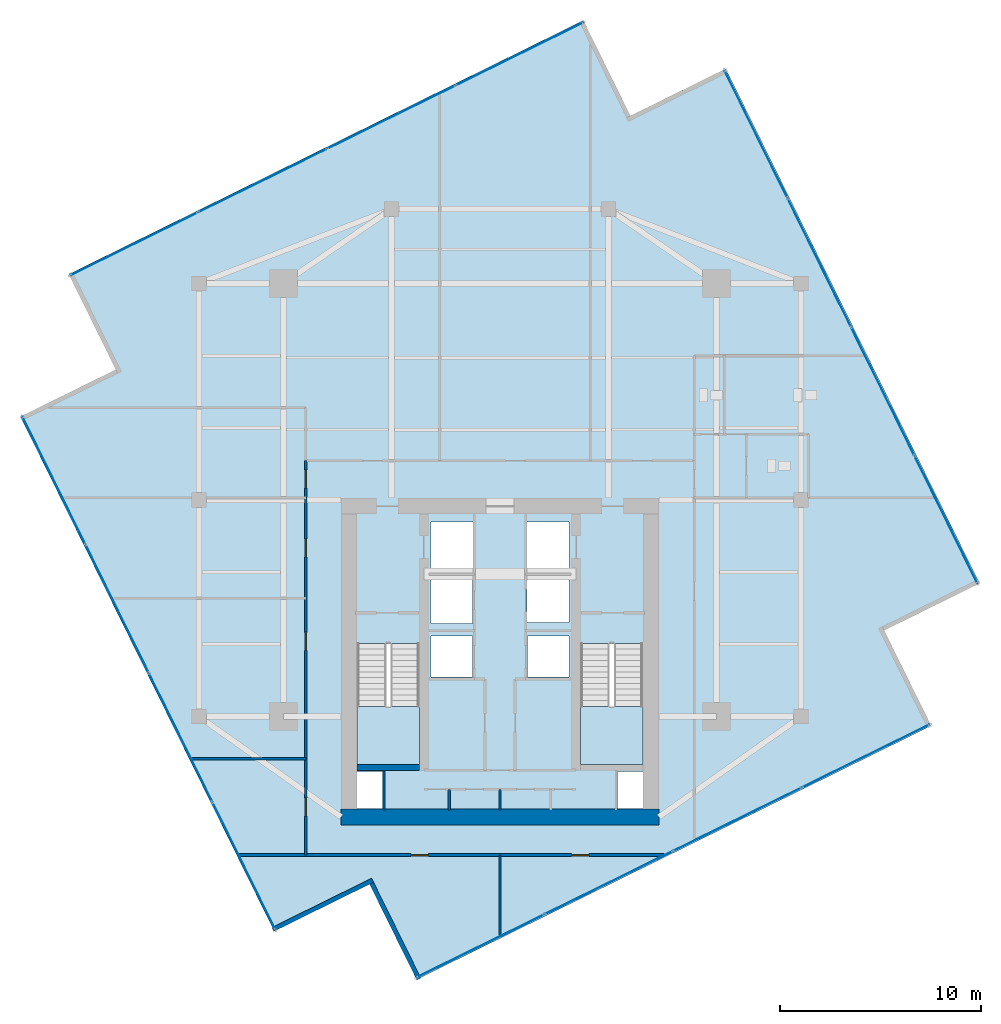
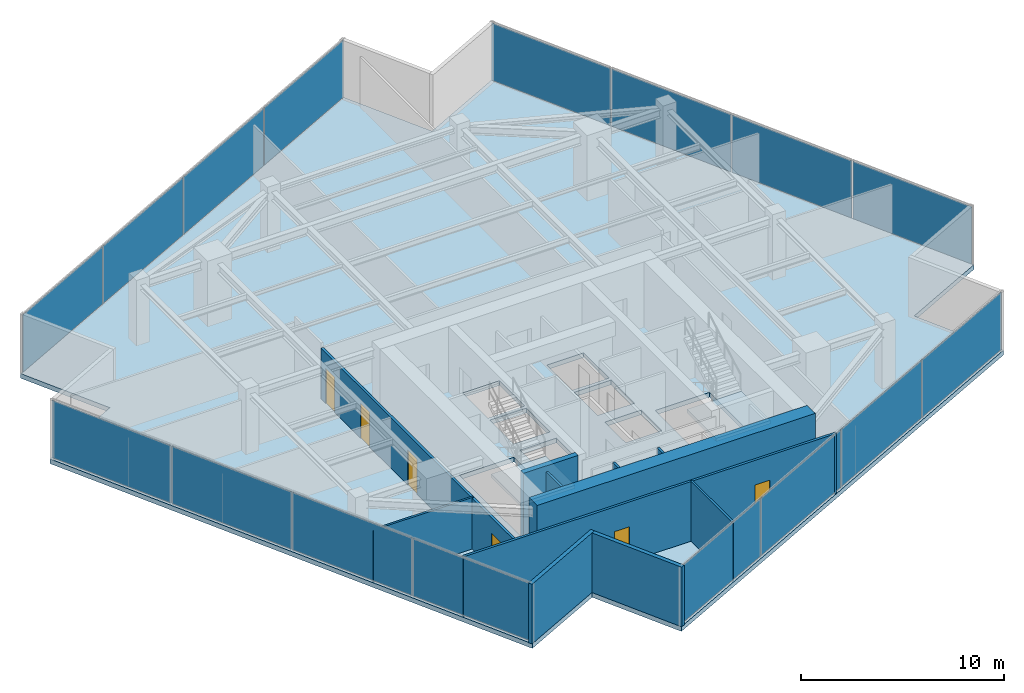
# One storey, part 18 of 22: 16 plates, 11 walls, 6 doors, 3 slabs, 6 openings, 6 elements without a shape of their own.
"""IFC4 building model written with IfcOpenShell, lengths in metres."""

from ifc_helpers import new_model, si_unit, direction, frame, frame_2d, origin, origin_2d, place, context, subcontext, project, spatial, polyline, rectangle, outline, extrude, source, transform, mapped, material, layer, layer_set, type_object, type_shapes, element, fill, aggregate, save


model = new_model("IFC4")

# Units and contexts
model_context = context("Model", 3, precision=1e-05, world=origin(), true_north=direction((0.0, 1.0)))
body_context = subcontext(model_context, "Body", "Model", "MODEL_VIEW")
ifc_project = project(units=[si_unit("LENGTHUNIT", "METRE"), si_unit("AREAUNIT", "SQUARE_METRE"), si_unit("VOLUMEUNIT", "CUBIC_METRE"), si_unit("PLANEANGLEUNIT", "RADIAN"), si_unit("MASSUNIT", "GRAM", prefix="KILO")], contexts=[model_context])

# Site, building, storey
site_placement = place(None, origin())
site = spatial("IfcSite", under=ifc_project, at=site_placement, CompositionType="ELEMENT")
building_placement = place(site_placement, origin())
building = spatial("IfcBuilding", under=site, at=building_placement, Name="Krantzveldt Concourse Tower", CompositionType="ELEMENT")
storey_placement = place(building_placement, frame((0.0, 0.0, 314.800048828125)))
storey = spatial("IfcBuildingStorey", under=building, at=storey_placement, Name="L77", CompositionType="ELEMENT", Elevation=314.800048828125)

# Stair, slab
ifc_material_1 = material(Name="Precast concrete C40/50", Category="concrete")
stair_type = type_object("IfcStairType", Name="STR-CORE-DOGLEG", PredefinedType="HALF_TURN_STAIR", material=ifc_material_1)
stair_1_placement = place(storey_placement, origin())
stair_1 = element("IfcStair", 1, at=stair_1_placement, inside=storey, type_object=stair_type, Name="L77 Protected Escape Stair ST-1", PredefinedType="HALF_TURN_STAIR")
ifc_layer_1 = layer(ifc_material_1, 0.199951171875, Name="Precast concrete C40/50", Category="concrete")
ifc_layer_set_1 = layer_set([ifc_layer_1], Name="Precast concrete C40/50 (SL-LANDING-200)")
slab_type_1 = type_object("IfcSlabType", Name="SL-LANDING-200", PredefinedType="LANDING", material=ifc_layer_set_1)
slab_1_placement = place(storey_placement, frame((0.0, 0.0, 1.77490234375)))
slab_1 = element("IfcSlab", 2, at=slab_1_placement, type_object=slab_type_1, Name="ST-1 landing 1", PredefinedType="LANDING", context=body_context, shape_type="SweptSolid", body=[
    extrude(outline(polyline([(28.8798828125, 16.4150390625), (28.8798828125, 13.52001953125), (31.97998046875, 13.52001953125), (31.97998046875, 16.4150390625), (28.8798828125, 16.4150390625)])), origin(), (0.0, 0.0, 1.0), 0.199951171875),
])
aggregate(stair_1, [slab_1])

stair_2_placement = place(storey_placement, origin())
stair_2 = element("IfcStair", 3, at=stair_2_placement, inside=storey, type_object=stair_type, Name="L77 Protected Escape Stair ST-2", PredefinedType="HALF_TURN_STAIR")
slab_2_placement = place(storey_placement, frame((0.0, 0.0, 1.77490234375)))
slab_2 = element("IfcSlab", 4, at=slab_2_placement, type_object=slab_type_1, Name="ST-2 landing 1", PredefinedType="LANDING", context=body_context, shape_type="SweptSolid", body=[
    extrude(outline(polyline([(40.02001953125, 16.4150390625), (40.02001953125, 13.52001953125), (43.1201171875, 13.52001953125), (43.1201171875, 16.4150390625), (40.02001953125, 16.4150390625)])), origin(), (0.0, 0.0, 1.0), 0.199951171875),
])
aggregate(stair_2, [slab_2])

# Slab
ifc_material_2 = material(Name="Concrete C40/50", Category="concrete")
ifc_layer_2 = layer(ifc_material_2, 0.280029296875, Name="Concrete C40/50", Category="concrete")
ifc_layer_set_2 = layer_set([ifc_layer_2], Name="Concrete C40/50 (SL-SL-TWR280)")
slab_type_2 = type_object("IfcSlabType", Name="SL-SL-TWR280", PredefinedType="FLOOR", material=ifc_layer_set_2)
slab_3_placement = place(storey_placement, frame((0.0, 0.0, -0.280029296875)))
element("IfcSlab", 5, at=slab_3_placement, inside=storey, type_object=slab_type_2, Name="SL-L77-MAIN", PredefinedType="FLOOR", context=body_context, shape_type="SweptSolid", body=[
    extrude(outline(polyline([(42.50048828125, 45.85009765625), (40.156494140625, 50.603515625), (14.505859375, 37.9541015625), (16.85009765625, 33.200439453125), (12.0966796875, 30.8564453125), (24.74609375, 5.205810546875), (29.49951171875, 7.550048828125), (31.843505859375, 2.796630859375), (57.494140625, 15.446044921875), (55.14990234375, 20.199462890625), (59.9033203125, 22.543701171875), (47.25390625, 48.194091796875), (42.50048828125, 45.85009765625)]), holes=[polyline([(28.8798828125, 19.547607421875), (28.8798828125, 13.52001953125), (31.97998046875, 13.52001953125), (31.97998046875, 19.547607421875), (28.8798828125, 19.547607421875)]), polyline([(40.02001953125, 19.547607421875), (40.02001953125, 13.52001953125), (43.1201171875, 13.52001953125), (43.1201171875, 19.547607421875), (40.02001953125, 19.547607421875)]), polyline([(32.550048828125, 23.10009765625), (34.64990234375, 23.10009765625), (34.64990234375, 25.60009765625), (32.550048828125, 25.60009765625), (32.550048828125, 23.10009765625)]), polyline([(37.35009765625, 23.10009765625), (39.449951171875, 23.10009765625), (39.449951171875, 25.60009765625), (37.35009765625, 25.60009765625), (37.35009765625, 23.10009765625)]), polyline([(37.35009765625, 20.60009765625), (39.449951171875, 20.60009765625), (39.449951171875, 22.89990234375), (37.35009765625, 22.89990234375), (37.35009765625, 20.60009765625)]), polyline([(32.550048828125, 20.550048828125), (34.6201171875, 20.550048828125), (34.6201171875, 22.89990234375), (32.550048828125, 22.89990234375), (32.550048828125, 20.550048828125)]), polyline([(32.550048828125, 17.8798828125), (34.6201171875, 17.8798828125), (34.6201171875, 19.919921875), (32.550048828125, 19.919921875), (32.550048828125, 17.8798828125)]), polyline([(37.3798828125, 17.8798828125), (39.449951171875, 17.8798828125), (39.449951171875, 19.919921875), (37.3798828125, 19.919921875), (37.3798828125, 17.8798828125)]), polyline([(28.8798828125, 11.320068359375), (30.139892578125, 11.320068359375), (30.139892578125, 13.159912109375), (28.8798828125, 13.159912109375), (28.8798828125, 11.320068359375)]), polyline([(41.860107421875, 11.320068359375), (43.1201171875, 11.320068359375), (43.1201171875, 13.159912109375), (41.860107421875, 13.159912109375), (41.860107421875, 11.320068359375)])]), origin(), (0.0, 0.0, 1.0), 0.280029296875),
])

# Curtain wall, plates
ifc_material_3 = material(Name="Anodised aluminium 6063-T6", Category="aluminium")
curtain_wall_type = type_object("IfcCurtainWallType", Name="CW4", PredefinedType="USERDEFINED", material=ifc_material_3)
curtain_wall_1_placement = place(storey_placement, origin())
curtain_wall_1 = element("IfcCurtainWall", 6, at=curtain_wall_1_placement, inside=storey, type_object=curtain_wall_type, Name="CW-L77-F01", ObjectType="UNITISED CURTAIN WALL", PredefinedType="USERDEFINED")
ifc_material_4 = material(Name="Bronze-tinted laminated low-E IGU glass", Category="glass")
ifc_layer_3 = layer(ifc_material_4, 0.031982421875, Name="Bronze-tinted laminated low-E IGU glass", Category="glass")
ifc_layer_set_3 = layer_set([ifc_layer_3], Name="Bronze-tinted laminated low-E IGU glass (CW-GLZ-32)")
plate_type = type_object("IfcPlateType", Name="CW-GLZ-32", PredefinedType="CURTAIN_PANEL", material=ifc_layer_set_3)
shared_shape_1 = source(origin(), body_context, "Body", "SweptSolid", [
    extrude(rectangle(XDim=7.044921875, YDim=0.031982421875, at=origin_2d()), origin(), (0.0, 0.0, 1.0), 3.449951171875),
])
plate_1_placement = place(storey_placement, frame((36.97412109375, 48.933837890625, 0.06982421875), z_axis=(0.0, 0.0, 1.0), x_axis=(-0.896872829457, -0.442288511927, 0.0)))
plate_1 = element("IfcPlate", 7, at=plate_1_placement, type_object=plate_type, Name="CW-Z56 panel 1.1", PredefinedType="CURTAIN_PANEL", context=body_context, shape_type="MappedRepresentation", body=[
    mapped(shared_shape_1, transform((0.0, 0.0, 0.0), x_axis=(1.0, 0.0, 0.0), y_axis=(0.0, 1.0, 0.0), z_axis=(0.0, 0.0, 1.0), scale=1.0)),
])
plate_2_placement = place(storey_placement, frame((17.767578125, 39.462158203125, 0.06982421875), z_axis=(0.0, 0.0, 1.0), x_axis=(-0.896872829457, -0.442288511927, 0.0)))
plate_2 = element("IfcPlate", 8, at=plate_2_placement, type_object=plate_type, Name="CW-Z56 panel 4.1", PredefinedType="CURTAIN_PANEL", context=body_context, shape_type="MappedRepresentation", body=[
    mapped(shared_shape_1, transform((0.0, 0.0, 0.0), x_axis=(1.0, 0.0, 0.0), y_axis=(0.0, 1.0, 0.0), z_axis=(0.0, 0.0, 1.0), scale=1.0)),
])

curtain_wall_2_placement = place(storey_placement, origin())
curtain_wall_2 = element("IfcCurtainWall", 9, at=curtain_wall_2_placement, inside=storey, type_object=curtain_wall_type, Name="CW-L77-F04", ObjectType="UNITISED CURTAIN WALL", PredefinedType="USERDEFINED")
plate_3_placement = place(storey_placement, frame((13.76611328125, 27.67431640625, 0.06982421875), z_axis=(0.0, 0.0, 1.0), x_axis=(0.442288511927, -0.896872829457, 0.0)))
plate_3 = element("IfcPlate", 10, at=plate_3_placement, type_object=plate_type, Name="CW-Z56 panel 1.1", PredefinedType="CURTAIN_PANEL", context=body_context, shape_type="MappedRepresentation", body=[
    mapped(shared_shape_1, transform((0.0, 0.0, 0.0), x_axis=(1.0, 0.0, 0.0), y_axis=(0.0, 1.0, 0.0), z_axis=(0.0, 0.0, 1.0), scale=1.0)),
])
plate_4_placement = place(storey_placement, frame((23.23779296875, 8.4677734375, 0.06982421875), z_axis=(0.0, 0.0, 1.0), x_axis=(0.442288511927, -0.896872829457, 0.0)))
plate_4 = element("IfcPlate", 11, at=plate_4_placement, type_object=plate_type, Name="CW-Z56 panel 4.1", PredefinedType="CURTAIN_PANEL", context=body_context, shape_type="MappedRepresentation", body=[
    mapped(shared_shape_1, transform((0.0, 0.0, 0.0), x_axis=(1.0, 0.0, 0.0), y_axis=(0.0, 1.0, 0.0), z_axis=(0.0, 0.0, 1.0), scale=1.0)),
])

curtain_wall_3_placement = place(storey_placement, origin())
curtain_wall_3 = element("IfcCurtainWall", 12, at=curtain_wall_3_placement, inside=storey, type_object=curtain_wall_type, Name="CW-L77-F07", ObjectType="UNITISED CURTAIN WALL", PredefinedType="USERDEFINED")
plate_5_placement = place(storey_placement, frame((35.02587890625, 4.46630859375, 0.06982421875), z_axis=(0.0, 0.0, 1.0), x_axis=(0.896872829457, 0.442288511927, 0.0)))
plate_5 = element("IfcPlate", 13, at=plate_5_placement, type_object=plate_type, Name="CW-Z56 panel 1.1", PredefinedType="CURTAIN_PANEL", context=body_context, shape_type="MappedRepresentation", body=[
    mapped(shared_shape_1, transform((0.0, 0.0, 0.0), x_axis=(1.0, 0.0, 0.0), y_axis=(0.0, 1.0, 0.0), z_axis=(0.0, 0.0, 1.0), scale=1.0)),
])
plate_6_placement = place(storey_placement, frame((54.232421875, 13.937744140625, 0.06982421875), z_axis=(0.0, 0.0, 1.0), x_axis=(0.896872829457, 0.442288511927, 0.0)))
plate_6 = element("IfcPlate", 14, at=plate_6_placement, type_object=plate_type, Name="CW-Z56 panel 4.1", PredefinedType="CURTAIN_PANEL", context=body_context, shape_type="MappedRepresentation", body=[
    mapped(shared_shape_1, transform((0.0, 0.0, 0.0), x_axis=(1.0, 0.0, 0.0), y_axis=(0.0, 1.0, 0.0), z_axis=(0.0, 0.0, 1.0), scale=1.0)),
])

curtain_wall_4_placement = place(storey_placement, origin())
curtain_wall_4 = element("IfcCurtainWall", 15, at=curtain_wall_4_placement, inside=storey, type_object=curtain_wall_type, Name="CW-L77-F10", ObjectType="UNITISED CURTAIN WALL", PredefinedType="USERDEFINED")
plate_7_placement = place(storey_placement, frame((58.23388671875, 25.725830078125, 0.06982421875), z_axis=(0.0, 0.0, 1.0), x_axis=(-0.442288511927, 0.896872829457, 0.0)))
plate_7 = element("IfcPlate", 16, at=plate_7_placement, type_object=plate_type, Name="CW-Z56 panel 1.1", PredefinedType="CURTAIN_PANEL", context=body_context, shape_type="MappedRepresentation", body=[
    mapped(shared_shape_1, transform((0.0, 0.0, 0.0), x_axis=(1.0, 0.0, 0.0), y_axis=(0.0, 1.0, 0.0), z_axis=(0.0, 0.0, 1.0), scale=1.0)),
])
plate_8_placement = place(storey_placement, frame((48.76220703125, 44.932373046875, 0.06982421875), z_axis=(0.0, 0.0, 1.0), x_axis=(-0.442288511927, 0.896872829457, 0.0)))
plate_8 = element("IfcPlate", 17, at=plate_8_placement, type_object=plate_type, Name="CW-Z56 panel 4.1", PredefinedType="CURTAIN_PANEL", context=body_context, shape_type="MappedRepresentation", body=[
    mapped(shared_shape_1, transform((0.0, 0.0, 0.0), x_axis=(1.0, 0.0, 0.0), y_axis=(0.0, 1.0, 0.0), z_axis=(0.0, 0.0, 1.0), scale=1.0)),
])

# Plate
shared_shape_2 = source(origin(), body_context, "Body", "SweptSolid", [
    extrude(rectangle(XDim=7.080078125, YDim=0.031982421875, at=origin_2d()), origin(), (0.0, 0.0, 1.0), 3.449951171875),
])
type_shapes(plate_type, [shared_shape_1, shared_shape_2])
plate_9_placement = place(storey_placement, frame((30.5771484375, 45.779052734375, 0.06982421875), z_axis=(0.0, 0.0, 1.0), x_axis=(-0.896872829457, -0.442288511927, 0.0)))
plate_9 = element("IfcPlate", 18, at=plate_9_placement, type_object=plate_type, Name="CW-Z56 panel 2.1", PredefinedType="CURTAIN_PANEL", context=body_context, shape_type="MappedRepresentation", body=[
    mapped(shared_shape_2, transform((0.0, 0.0, 0.0), x_axis=(1.0, 0.0, 0.0), y_axis=(0.0, 1.0, 0.0), z_axis=(0.0, 0.0, 1.0), scale=1.0)),
])

plate_10_placement = place(storey_placement, frame((24.16455078125, 42.61669921875, 0.06982421875), z_axis=(0.0, 0.0, 1.0), x_axis=(-0.896872829457, -0.442288511927, 0.0)))
plate_10 = element("IfcPlate", 19, at=plate_10_placement, type_object=plate_type, Name="CW-Z56 panel 3.1", PredefinedType="CURTAIN_PANEL", context=body_context, shape_type="MappedRepresentation", body=[
    mapped(shared_shape_2, transform((0.0, 0.0, 0.0), x_axis=(1.0, 0.0, 0.0), y_axis=(0.0, 1.0, 0.0), z_axis=(0.0, 0.0, 1.0), scale=1.0)),
])

aggregate(curtain_wall_1, [plate_1, plate_9, plate_10, plate_2])

plate_11_placement = place(storey_placement, frame((16.9208984375, 21.27734375, 0.06982421875), z_axis=(0.0, 0.0, 1.0), x_axis=(0.442288511927, -0.896872829457, 0.0)))
plate_11 = element("IfcPlate", 20, at=plate_11_placement, type_object=plate_type, Name="CW-Z56 panel 2.1", PredefinedType="CURTAIN_PANEL", context=body_context, shape_type="MappedRepresentation", body=[
    mapped(shared_shape_2, transform((0.0, 0.0, 0.0), x_axis=(1.0, 0.0, 0.0), y_axis=(0.0, 1.0, 0.0), z_axis=(0.0, 0.0, 1.0), scale=1.0)),
])

plate_12_placement = place(storey_placement, frame((20.083251953125, 14.86474609375, 0.06982421875), z_axis=(0.0, 0.0, 1.0), x_axis=(0.442288511927, -0.896872829457, 0.0)))
plate_12 = element("IfcPlate", 21, at=plate_12_placement, type_object=plate_type, Name="CW-Z56 panel 3.1", PredefinedType="CURTAIN_PANEL", context=body_context, shape_type="MappedRepresentation", body=[
    mapped(shared_shape_2, transform((0.0, 0.0, 0.0), x_axis=(1.0, 0.0, 0.0), y_axis=(0.0, 1.0, 0.0), z_axis=(0.0, 0.0, 1.0), scale=1.0)),
])

aggregate(curtain_wall_2, [plate_3, plate_11, plate_12, plate_4])

plate_13_placement = place(storey_placement, frame((41.4228515625, 7.620849609375, 0.06982421875), z_axis=(0.0, 0.0, 1.0), x_axis=(0.896872829457, 0.442288511927, 0.0)))
plate_13 = element("IfcPlate", 22, at=plate_13_placement, type_object=plate_type, Name="CW-Z56 panel 2.1", PredefinedType="CURTAIN_PANEL", context=body_context, shape_type="MappedRepresentation", body=[
    mapped(shared_shape_2, transform((0.0, 0.0, 0.0), x_axis=(1.0, 0.0, 0.0), y_axis=(0.0, 1.0, 0.0), z_axis=(0.0, 0.0, 1.0), scale=1.0)),
])

plate_14_placement = place(storey_placement, frame((47.83544921875, 10.783203125, 0.06982421875), z_axis=(0.0, 0.0, 1.0), x_axis=(0.896872829457, 0.442288511927, 0.0)))
plate_14 = element("IfcPlate", 23, at=plate_14_placement, type_object=plate_type, Name="CW-Z56 panel 3.1", PredefinedType="CURTAIN_PANEL", context=body_context, shape_type="MappedRepresentation", body=[
    mapped(shared_shape_2, transform((0.0, 0.0, 0.0), x_axis=(1.0, 0.0, 0.0), y_axis=(0.0, 1.0, 0.0), z_axis=(0.0, 0.0, 1.0), scale=1.0)),
])

aggregate(curtain_wall_3, [plate_5, plate_13, plate_14, plate_6])

plate_15_placement = place(storey_placement, frame((55.0791015625, 32.122802734375, 0.06982421875), z_axis=(0.0, 0.0, 1.0), x_axis=(-0.442288511927, 0.896872829457, 0.0)))
plate_15 = element("IfcPlate", 24, at=plate_15_placement, type_object=plate_type, Name="CW-Z56 panel 2.1", PredefinedType="CURTAIN_PANEL", context=body_context, shape_type="MappedRepresentation", body=[
    mapped(shared_shape_2, transform((0.0, 0.0, 0.0), x_axis=(1.0, 0.0, 0.0), y_axis=(0.0, 1.0, 0.0), z_axis=(0.0, 0.0, 1.0), scale=1.0)),
])

plate_16_placement = place(storey_placement, frame((51.916748046875, 38.535400390625, 0.06982421875), z_axis=(0.0, 0.0, 1.0), x_axis=(-0.442288511927, 0.896872829457, 0.0)))
plate_16 = element("IfcPlate", 25, at=plate_16_placement, type_object=plate_type, Name="CW-Z56 panel 3.1", PredefinedType="CURTAIN_PANEL", context=body_context, shape_type="MappedRepresentation", body=[
    mapped(shared_shape_2, transform((0.0, 0.0, 0.0), x_axis=(1.0, 0.0, 0.0), y_axis=(0.0, 1.0, 0.0), z_axis=(0.0, 0.0, 1.0), scale=1.0)),
])

aggregate(curtain_wall_4, [plate_7, plate_15, plate_16, plate_8])

# Walls
ifc_layer_4 = layer(ifc_material_3, 0.219970703125, Name="Anodised aluminium 6063-T6", Category="aluminium")
ifc_layer_set_4 = layer_set([ifc_layer_4], Name="Anodised aluminium 6063-T6 (WL-EXT-NOTCH220)")
wall_type_1 = type_object("IfcWallType", Name="WL-EXT-NOTCH220", PredefinedType="ELEMENTEDWALL", material=ifc_layer_set_4)
wall_1_placement = place(storey_placement, frame((24.675048828125, 5.29345703125, 0.0), z_axis=(0.0, 0.0, 1.0), x_axis=(0.896879244314, 0.442275503639, 0.0)))
element("IfcWall", 26, at=wall_1_placement, inside=storey, type_object=wall_type_1, Name="EW-L77-NCH05", PredefinedType="ELEMENTEDWALL", context=body_context, shape_type="SweptSolid", body=[
    extrude(rectangle(XDim=5.544921875, YDim=0.219970703125, at=frame_2d((2.7724609375, 0.0))), origin(), (0.0, 0.0, 1.0), 3.58984375),
])
wall_2_placement = place(storey_placement, frame((29.59814453125, 7.5986328125, 0.0), z_axis=(0.0, 0.0, 1.0), x_axis=(0.442291978932, -0.896871119712, 0.0)))
element("IfcWall", 27, at=wall_2_placement, inside=storey, type_object=wall_type_1, Name="EW-L77-NCH06", PredefinedType="ELEMENTEDWALL", context=body_context, shape_type="SweptSolid", body=[
    extrude(rectangle(XDim=5.324951171875, YDim=0.219970703125, at=frame_2d((2.66259765625, 0.0))), origin(), (0.0, 0.0, 1.0), 3.58984375),
])
ifc_material_5 = material(Name="Fire-rated gypsum plasterboard on steel stud", Category="steel")
ifc_layer_5 = layer(ifc_material_5, 0.1201171875, Name="Fire-rated gypsum plasterboard on steel stud", Category="steel")
ifc_layer_set_5 = layer_set([ifc_layer_5], Name="Fire-rated gypsum plasterboard on steel stud (WL-PART-120)")
wall_type_2 = type_object("IfcWallType", Name="WL-PART-120", PredefinedType="PARTITIONING", material=ifc_layer_set_5)
for number, where, z_axis, x_axis, name in (
    (28, (33.469970703125, 11.25, 0.0), (0.0, 0.0, 1.0), (0.0, 1.0, 0.0), "WP-L77-CSD-V1"),
    (29, (36.0, 11.25, 0.0), (0.0, 0.0, 1.0), (0.0, 1.0, 0.0), "WP-L77-CSD-V2"),
):
    element("IfcWall", number, at=place(storey_placement, frame(where, z_axis=z_axis, x_axis=x_axis)), inside=storey, type_object=wall_type_2, Name=name, PredefinedType="PARTITIONING", context=body_context, shape_type="SweptSolid", body=[
        extrude(rectangle(XDim=1.030029296875, YDim=0.1201171875, at=frame_2d((0.51513671875, 0.0))), origin(), (0.0, 0.0, 1.0), 3.58984375),
    ])
wall_3_placement = place(storey_placement, frame((20.608154296875, 13.800048828125, 0.0), z_axis=(0.0, 0.0, 1.0), x_axis=(1.0, 0.0, 0.0)))
element("IfcWall", 30, at=wall_3_placement, inside=storey, type_object=wall_type_2, Name="WP-L77-WD1", PredefinedType="PARTITIONING", context=body_context, shape_type="SweptSolid", body=[
    extrude(rectangle(XDim=5.7119140625, YDim=0.1201171875, at=frame_2d((2.85595703125, 0.0))), origin(), (0.0, 0.0, 1.0), 3.099853515625),
])
wall_4_placement = place(storey_placement, frame((36.0, 4.946533203125, 0.0), z_axis=(0.0, 0.0, 1.0), x_axis=(0.0, 1.0, 0.0)))
element("IfcWall", 31, at=wall_4_placement, inside=storey, type_object=wall_type_2, Name="WP-L77-SSMD", PredefinedType="PARTITIONING", context=body_context, shape_type="SweptSolid", body=[
    extrude(rectangle(XDim=4.053466796875, YDim=0.1201171875, at=frame_2d((2.02685546875, 0.0))), origin(), (0.0, 0.0, 1.0), 3.58984375),
])

# Wall, openings, doors
ifc_layer_6 = layer(ifc_material_5, 0.139892578125, Name="Fire-rated gypsum plasterboard on steel stud", Category="steel")
ifc_layer_set_6 = layer_set([ifc_layer_6], Name="Fire-rated gypsum plasterboard on steel stud (WL-PART-140)")
wall_type_3 = type_object("IfcWallType", Name="WL-PART-140", PredefinedType="PARTITIONING", material=ifc_layer_set_6)
wall_5_placement = place(storey_placement, frame((26.320068359375, 9.0, 0.0), z_axis=(0.0, 0.0, 1.0), x_axis=(0.0, 1.0, 0.0)))
wall_5 = element("IfcWall", 32, at=wall_5_placement, inside=storey, type_object=wall_type_3, Name="WP-L77-CWEST", PredefinedType="PARTITIONING", context=body_context, shape_type="SweptSolid", body=[
    extrude(rectangle(XDim=19.659912109375, YDim=0.139892578125, at=frame_2d((9.830078125, 0.0))), origin(), (0.0, 0.0, 1.0), 3.050048828125),
])
opening_1_placement = place(wall_5_placement, frame((18.300048828125, 0.0, 0.0)))
opening_1 = element("IfcOpeningElement", 33, at=opening_1_placement, cuts=wall_5, Name="Opening D-IN090", PredefinedType="OPENING", context=body_context, shape_type="SweptSolid", body=[
    extrude(rectangle(XDim=0.89990234375, YDim=2.10009765625, at=frame_2d((0.449951171875, 1.050048828125))), frame((0.0, 0.080078125, 0.0), z_axis=(0.0, -1.0, 0.0), x_axis=(1.0, 0.0, 0.0)), (0.0, 0.0, 1.0), 0.159912109375),
])
opening_2_placement = place(wall_5_placement, frame((1.949951171875, 0.0, 0.0)))
opening_2 = element("IfcOpeningElement", 34, at=opening_2_placement, cuts=wall_5, Name="Opening D-IN090", PredefinedType="OPENING", context=body_context, shape_type="SweptSolid", body=[
    extrude(rectangle(XDim=0.89990234375, YDim=2.10009765625, at=frame_2d((0.449951171875, 1.050048828125))), frame((0.0, 0.080078125, 0.0), z_axis=(0.0, -1.0, 0.0), x_axis=(1.0, 0.0, 0.0)), (0.0, 0.0, 1.0), 0.159912109375),
])
opening_3_placement = place(wall_5_placement, frame((10.199951171875, 0.0, 0.0)))
opening_3 = element("IfcOpeningElement", 35, at=opening_3_placement, cuts=wall_5, Name="Opening D-IN090", PredefinedType="OPENING", context=body_context, shape_type="SweptSolid", body=[
    extrude(rectangle(XDim=0.89990234375, YDim=2.10009765625, at=frame_2d((0.449951171875, 1.050048828125))), frame((0.0, 0.080078125, 0.0), z_axis=(0.0, -1.0, 0.0), x_axis=(1.0, 0.0, 0.0)), (0.0, 0.0, 1.0), 0.159912109375),
])
opening_4_placement = place(wall_5_placement, frame((14.860107421875, 0.0, 0.0)))
opening_4 = element("IfcOpeningElement", 36, at=opening_4_placement, cuts=wall_5, Name="Opening D-IN090", PredefinedType="OPENING", context=body_context, shape_type="SweptSolid", body=[
    extrude(rectangle(XDim=0.89990234375, YDim=2.10009765625, at=frame_2d((0.449951171875, 1.050048828125))), frame((0.0, 0.080078125, 0.0), z_axis=(0.0, -1.0, 0.0), x_axis=(1.0, 0.0, 0.0)), (0.0, 0.0, 1.0), 0.159912109375),
])
ifc_material_6 = material(Name="Hardwood timber", Category="wood")
door_type_1 = type_object("IfcDoorType", Name="DR-INT-900", OperationType="SINGLE_SWING_LEFT", PredefinedType="DOOR", material=ifc_material_6)
door_1_placement = place(opening_1_placement, origin())
door_1 = element("IfcDoor", 37, at=door_1_placement, inside=storey, type_object=door_type_1, Name="DR-L77-PNT", OperationType="SINGLE_SWING_LEFT", OverallHeight=2.10009765625, OverallWidth=0.89990234375, PredefinedType="DOOR", context=body_context, shape_type="SweptSolid", body=[
    extrude(rectangle(XDim=0.89990234375, YDim=2.10009765625, at=frame_2d((0.449951171875, 1.050048828125))), frame((0.0, 0.02490234375, 0.0), z_axis=(0.0, -1.0, 0.0), x_axis=(1.0, 0.0, 0.0)), (0.0, 0.0, 1.0), 0.050048828125),
])
fill(opening_1, door_1)
door_2_placement = place(opening_2_placement, origin())
door_2 = element("IfcDoor", 38, at=door_2_placement, inside=storey, type_object=door_type_1, Name="DR-L77-WR1", OperationType="SINGLE_SWING_LEFT", OverallHeight=2.10009765625, OverallWidth=0.89990234375, PredefinedType="DOOR", context=body_context, shape_type="SweptSolid", body=[
    extrude(rectangle(XDim=0.89990234375, YDim=2.10009765625, at=frame_2d((0.449951171875, 1.050048828125))), frame((0.0, 0.02490234375, 0.0), z_axis=(0.0, -1.0, 0.0), x_axis=(1.0, 0.0, 0.0)), (0.0, 0.0, 1.0), 0.050048828125),
])
fill(opening_2, door_2)
door_3_placement = place(opening_3_placement, origin())
door_3 = element("IfcDoor", 39, at=door_3_placement, inside=storey, type_object=door_type_1, Name="DR-L77-WR2", OperationType="SINGLE_SWING_LEFT", OverallHeight=2.10009765625, OverallWidth=0.89990234375, PredefinedType="DOOR", context=body_context, shape_type="SweptSolid", body=[
    extrude(rectangle(XDim=0.89990234375, YDim=2.10009765625, at=frame_2d((0.449951171875, 1.050048828125))), frame((0.0, 0.02490234375, 0.0), z_axis=(0.0, -1.0, 0.0), x_axis=(1.0, 0.0, 0.0)), (0.0, 0.0, 1.0), 0.050048828125),
])
fill(opening_3, door_3)
door_4_placement = place(opening_4_placement, origin())
door_4 = element("IfcDoor", 40, at=door_4_placement, inside=storey, type_object=door_type_1, Name="DR-L77-WR3", OperationType="SINGLE_SWING_LEFT", OverallHeight=2.10009765625, OverallWidth=0.89990234375, PredefinedType="DOOR", context=body_context, shape_type="SweptSolid", body=[
    extrude(rectangle(XDim=0.89990234375, YDim=2.10009765625, at=frame_2d((0.449951171875, 1.050048828125))), frame((0.0, 0.02490234375, 0.0), z_axis=(0.0, -1.0, 0.0), x_axis=(1.0, 0.0, 0.0)), (0.0, 0.0, 1.0), 0.050048828125),
])
fill(opening_4, door_4)

wall_6_placement = place(storey_placement, frame((22.975341796875, 9.0, 0.0), z_axis=(0.0, 0.0, 1.0), x_axis=(1.0, 0.0, 0.0)))
wall_6 = element("IfcWall", 41, at=wall_6_placement, inside=storey, type_object=wall_type_3, Name="WP-L77-CSBOT", PredefinedType="PARTITIONING", context=body_context, shape_type="SweptSolid", body=[
    extrude(rectangle(XDim=21.244140625, YDim=0.139892578125, at=frame_2d((10.6220703125, 0.0))), origin(), (0.0, 0.0, 1.0), 3.58984375),
])
opening_5_placement = place(wall_6_placement, frame((8.599609375, 0.0, 0.0)))
opening_5 = element("IfcOpeningElement", 42, at=opening_5_placement, cuts=wall_6, Name="Opening D-IN085", PredefinedType="OPENING", context=body_context, shape_type="SweptSolid", body=[
    extrude(rectangle(XDim=0.85009765625, YDim=2.10009765625, at=frame_2d((0.425048828125, 1.050048828125))), frame((0.0, 0.080078125, 0.0), z_axis=(0.0, -1.0, 0.0), x_axis=(1.0, 0.0, 0.0)), (0.0, 0.0, 1.0), 0.159912109375),
])
opening_6_placement = place(wall_6_placement, frame((16.599609375, 0.0, 0.0)))
opening_6 = element("IfcOpeningElement", 43, at=opening_6_placement, cuts=wall_6, Name="Opening D-IN085", PredefinedType="OPENING", context=body_context, shape_type="SweptSolid", body=[
    extrude(rectangle(XDim=0.85009765625, YDim=2.10009765625, at=frame_2d((0.425048828125, 1.050048828125))), frame((0.0, 0.080078125, 0.0), z_axis=(0.0, -1.0, 0.0), x_axis=(1.0, 0.0, 0.0)), (0.0, 0.0, 1.0), 0.159912109375),
])
door_type_2 = type_object("IfcDoorType", Name="DR-INT-850", OperationType="SINGLE_SWING_LEFT", PredefinedType="DOOR", material=ifc_material_6)
door_5_placement = place(opening_5_placement, origin())
door_5 = element("IfcDoor", 44, at=door_5_placement, inside=storey, type_object=door_type_2, Name="DR-L77-SR1", OperationType="SINGLE_SWING_LEFT", OverallHeight=2.10009765625, OverallWidth=0.85009765625, PredefinedType="DOOR", context=body_context, shape_type="SweptSolid", body=[
    extrude(rectangle(XDim=0.85009765625, YDim=2.10009765625, at=frame_2d((0.425048828125, 1.050048828125))), frame((0.0, 0.02490234375, 0.0), z_axis=(0.0, -1.0, 0.0), x_axis=(1.0, 0.0, 0.0)), (0.0, 0.0, 1.0), 0.050048828125),
])
fill(opening_5, door_5)
door_6_placement = place(opening_6_placement, origin())
door_6 = element("IfcDoor", 45, at=door_6_placement, inside=storey, type_object=door_type_2, Name="DR-L77-SR2", OperationType="SINGLE_SWING_LEFT", OverallHeight=2.10009765625, OverallWidth=0.85009765625, PredefinedType="DOOR", context=body_context, shape_type="SweptSolid", body=[
    extrude(rectangle(XDim=0.85009765625, YDim=2.10009765625, at=frame_2d((0.425048828125, 1.050048828125))), frame((0.0, 0.02490234375, 0.0), z_axis=(0.0, -1.0, 0.0), x_axis=(1.0, 0.0, 0.0)), (0.0, 0.0, 1.0), 0.050048828125),
])
fill(opening_6, door_6)

# Walls
ifc_layer_7 = layer(ifc_material_5, 0.139892578125, Name="Fire-rated gypsum plasterboard on steel stud", Category="steel")
ifc_layer_set_7 = layer_set([ifc_layer_7], Name="Fire-rated gypsum plasterboard on steel stud (WL-PART-FR140)")
wall_type_4 = type_object("IfcWallType", Name="WL-PART-FR140", PredefinedType="PARTITIONING", material=ifc_layer_set_7)
wall_7_placement = place(storey_placement, frame((30.219970703125, 11.25, 0.0), z_axis=(0.0, 0.0, 1.0), x_axis=(0.0, 1.0, 0.0)))
element("IfcWall", 46, at=wall_7_placement, inside=storey, type_object=wall_type_4, Name="WP-L77-RSW", PredefinedType="PARTITIONING", context=body_context, shape_type="SweptSolid", body=[
    extrude(rectangle(XDim=1.969970703125, YDim=0.1201171875, at=frame_2d((0.98486328125, 0.0))), origin(), (0.0, 0.0, 1.0), 3.58984375),
])
ifc_material_7 = material(Name="Concrete C50/60", Category="concrete")
ifc_layer_8 = layer(ifc_material_7, 0.300048828125, Name="Concrete C50/60", Category="concrete")
ifc_layer_set_8 = layer_set([ifc_layer_8], Name="Concrete C50/60 (WL-SHEAR-300)")
wall_type_5 = type_object("IfcWallType", Name="WL-SHEAR-300", PredefinedType="SHEAR", material=ifc_layer_set_8)
wall_8_placement = place(storey_placement, frame((28.8798828125, 13.3701171875, 0.0), z_axis=(0.0, 0.0, 1.0), x_axis=(1.0, 0.0, 0.0)))
element("IfcWall", 47, at=wall_8_placement, inside=storey, type_object=wall_type_5, Name="CW-L77-ST1S", PredefinedType="SHEAR", context=body_context, shape_type="SweptSolid", body=[
    extrude(rectangle(XDim=3.10009765625, YDim=0.300048828125, at=frame_2d((1.550048828125, 0.0))), origin(), (0.0, 0.0, 1.0), 3.949951171875),
])
ifc_material_8 = material(Name="Concrete C60/75", Category="concrete")
ifc_layer_9 = layer(ifc_material_8, 0.800048828125, Name="Concrete C60/75", Category="concrete")
ifc_layer_set_9 = layer_set([ifc_layer_9], Name="Concrete C60/75 (WL-SHEAR-800)")
wall_type_6 = type_object("IfcWallType", Name="WL-SHEAR-800", PredefinedType="SHEAR", material=ifc_layer_set_9)
wall_9_placement = place(storey_placement, frame((28.080078125, 10.89990234375, 0.0), z_axis=(0.0, 0.0, 1.0), x_axis=(1.0, 0.0, 0.0)))
element("IfcWall", 48, at=wall_9_placement, inside=storey, type_object=wall_type_6, Name="CW-L77-S", PredefinedType="SHEAR", context=body_context, shape_type="SweptSolid", body=[
    extrude(rectangle(XDim=15.83984375, YDim=0.800048828125, at=frame_2d((7.919921875, 0.0))), origin(), (0.0, 0.0, 1.0), 3.949951171875),
])

save(model, "model.ifc")
